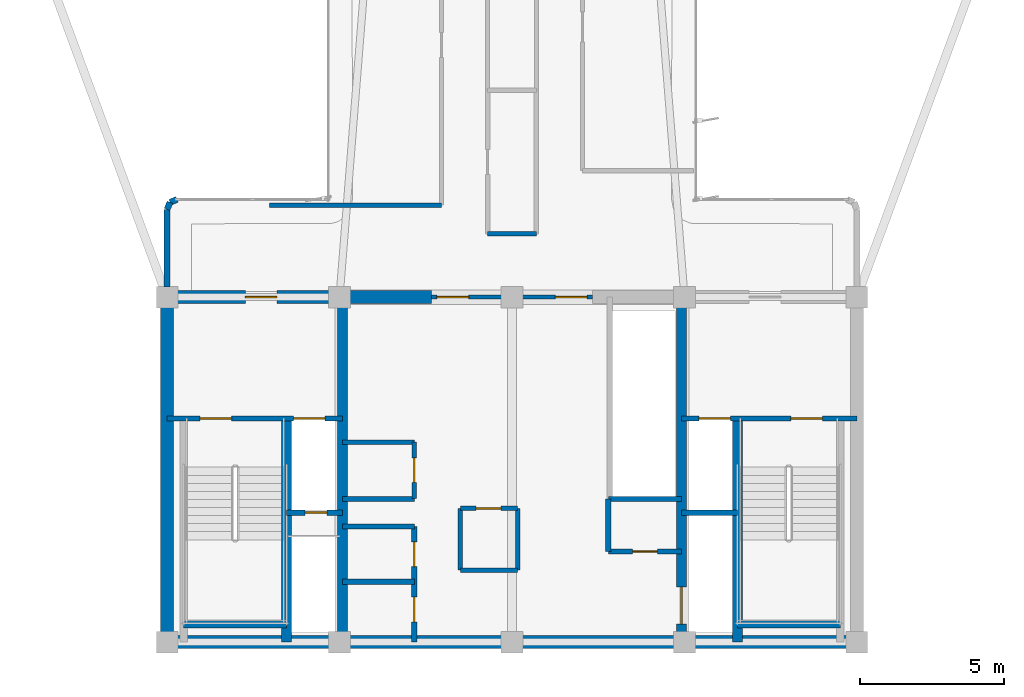
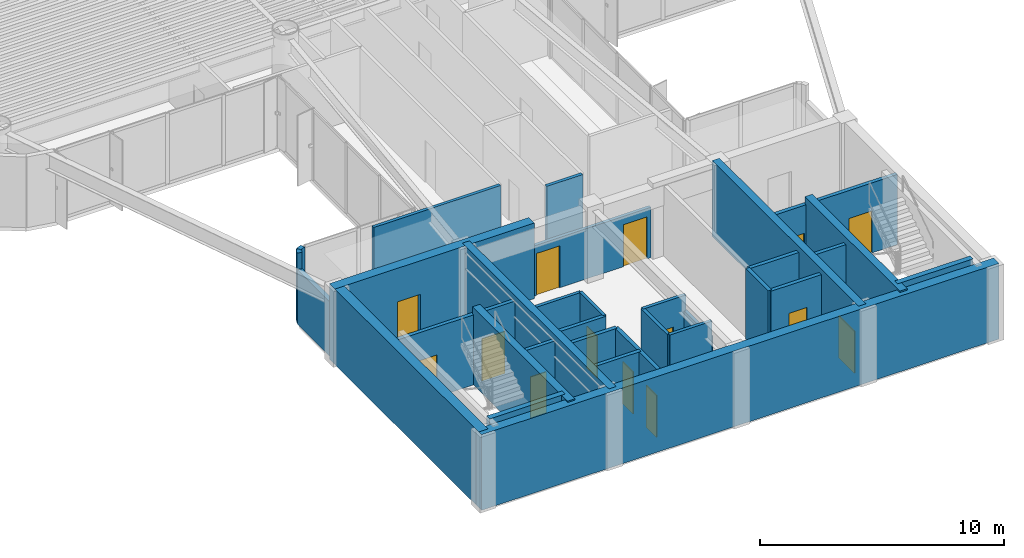
# One storey, part 9 of 14: 32 walls, 14 doors, 14 openings.
"""IFC4 building model written with IfcOpenShell, lengths in metres."""

from ifc_helpers import new_model, si_unit, direction, frame, frame_2d, origin, origin_2d, place, context, subcontext, project, spatial, rectangle, extrude, source, transform, mapped, material, layer, layer_set, type_object, element, fill, save


model = new_model("IFC4")

# Units and contexts
model_context = context("Model", 3, precision=1e-05, world=origin(), true_north=direction((0.0, 1.0)))
body_context = subcontext(model_context, "Body", "Model", "MODEL_VIEW")
ifc_project = project(units=[si_unit("LENGTHUNIT", "METRE"), si_unit("AREAUNIT", "SQUARE_METRE"), si_unit("VOLUMEUNIT", "CUBIC_METRE"), si_unit("PLANEANGLEUNIT", "RADIAN"), si_unit("MASSUNIT", "GRAM", prefix="KILO")], contexts=[model_context])

# Site, building, storey
site_placement = place(None, origin())
site = spatial("IfcSite", under=ifc_project, at=site_placement, CompositionType="ELEMENT")
building_placement = place(site_placement, origin())
building = spatial("IfcBuilding", under=site, at=building_placement, Name="Brelvock Crest Care Tower", CompositionType="ELEMENT")
storey_placement = place(building_placement, frame((0.0, 0.0, 194.219970703125)))
storey = spatial("IfcBuildingStorey", under=building, at=storey_placement, Name="L49", CompositionType="ELEMENT", Elevation=194.219970703125)

# Walls
ifc_material_1 = material(Name="Concrete S65 (65 MPa)", Category="concrete")
ifc_layer_1 = layer(ifc_material_1, 0.449951171875, Name="WL-CS3")
ifc_layer_set_1 = layer_set([ifc_layer_1], Name="Concrete S65 (65 MPa)")
wall_type_1 = type_object("IfcWallType", Name="WL-CS3", PredefinedType="SHEAR", material=ifc_layer_set_1)
wall_1_placement = place(storey_placement, frame((48.22509765625, 6.0, 0.0), z_axis=(0.0, 0.0, 1.0), x_axis=(-1.0, 0.0, 0.0)))
element("IfcWall", 1, at=wall_1_placement, inside=storey, type_object=wall_type_1, Name="L49 Core South Shear Wall", PredefinedType="SHEAR", context=body_context, shape_type="SweptSolid", body=[
    extrude(rectangle(XDim=24.4501953125, YDim=0.449951171875, at=frame_2d((12.22509765625, 0.0))), origin(), (0.0, 0.0, 1.0), 3.780029296875),
])
wall_2_placement = place(storey_placement, frame((24.0, 6.0, 0.0), z_axis=(0.0, 0.0, 1.0), x_axis=(0.0, 1.0, 0.0)))
element("IfcWall", 2, at=wall_2_placement, inside=storey, type_object=wall_type_1, Name="L49 Core West Shear Wall", PredefinedType="SHEAR", context=body_context, shape_type="SweptSolid", body=[
    extrude(rectangle(XDim=12.0, YDim=0.449951171875, at=frame_2d((6.0, 0.0))), origin(), (0.0, 0.0, 1.0), 3.780029296875),
])

# Wall, opening, door
wall_3_placement = place(storey_placement, frame((23.77490234375, 18.0, 0.0), z_axis=(0.0, 0.0, 1.0), x_axis=(1.0, 0.0, 0.0)))
wall_3 = element("IfcWall", 3, at=wall_3_placement, inside=storey, type_object=wall_type_1, Name="L49 Core North-West Shear Wall", PredefinedType="SHEAR", context=body_context, shape_type="SweptSolid", body=[
    extrude(rectangle(XDim=9.425048828125, YDim=0.449951171875, at=frame_2d((4.71240234375, 0.0))), origin(), (0.0, 0.0, 1.0), 3.780029296875),
])
opening_1_placement = place(wall_3_placement, frame((2.949951171875, 0.0, 0.0)))
opening_1 = element("IfcOpeningElement", 4, at=opening_1_placement, cuts=wall_3, Name="Opening FD-1", PredefinedType="OPENING", context=body_context, shape_type="SweptSolid", body=[
    extrude(rectangle(XDim=1.10009765625, YDim=2.10009765625, at=origin_2d()), frame((0.550048828125, 0.23486328125, 1.050048828125), z_axis=(0.0, -1.0, 0.0), x_axis=(1.0, 0.0, 0.0)), (0.0, 0.0, 1.0), 0.469970703125),
])
ifc_material_2 = material(Name="Steel Grade 350", Category="steel")
door_type_1 = type_object("IfcDoorType", Name="DR-FFL1", OperationType="NOTDEFINED", PredefinedType="DOOR", material=ifc_material_2)
shared_shape_1 = source(origin(), body_context, "Body", "SweptSolid", [
    extrude(rectangle(XDim=1.10009765625, YDim=2.10009765625, at=origin_2d()), frame((0.550048828125, 0.02490234375, 1.050048828125), z_axis=(0.0, -1.0, 0.0), x_axis=(1.0, 0.0, 0.0)), (0.0, 0.0, 1.0), 0.050048828125),
])
door_1_placement = place(opening_1_placement, origin())
door_1 = element("IfcDoor", 5, at=door_1_placement, inside=storey, type_object=door_type_1, Name="L49 Firefighting Lobby FFL-1 Exit Door", OperationType="SINGLE_SWING_LEFT", OverallHeight=2.10009765625, OverallWidth=1.10009765625, PredefinedType="DOOR", context=body_context, shape_type="MappedRepresentation", body=[
    mapped(shared_shape_1, transform((0.0, 0.0, 0.0), x_axis=(1.0, 0.0, 0.0), y_axis=(0.0, 1.0, 0.0), z_axis=(0.0, 0.0, 1.0), scale=1.0)),
])
fill(opening_1, door_1)

# Wall
ifc_material_3 = material(Name="Concrete S80 (80 MPa)", Category="concrete")
ifc_layer_2 = layer(ifc_material_3, 0.35009765625, Name="WL-CS5")
ifc_layer_set_2 = layer_set([ifc_layer_2], Name="Concrete S80 (80 MPa)")
wall_type_2 = type_object("IfcWallType", Name="WL-CS5", PredefinedType="SHEAR", material=ifc_layer_set_2)
wall_4_placement = place(storey_placement, frame((30.10009765625, 6.0, 0.0), z_axis=(0.0, 0.0, 1.0), x_axis=(0.0, 1.0, 0.0)))
element("IfcWall", 6, at=wall_4_placement, inside=storey, type_object=wall_type_2, Name="L49 Core Internal Web Wall West", PredefinedType="SHEAR", context=body_context, shape_type="SweptSolid", body=[
    extrude(rectangle(XDim=12.0, YDim=0.35009765625, at=frame_2d((6.0, 0.0))), origin(), (0.0, 0.0, 1.0), 3.780029296875),
])

# Wall, opening, door
wall_5_placement = place(storey_placement, frame((41.89990234375, 18.0, 0.0), z_axis=(0.0, 0.0, 1.0), x_axis=(0.0, -1.0, 0.0)))
wall_5 = element("IfcWall", 7, at=wall_5_placement, inside=storey, type_object=wall_type_2, Name="L49 Core Internal Web Wall East", PredefinedType="SHEAR", context=body_context, shape_type="SweptSolid", body=[
    extrude(rectangle(XDim=12.0, YDim=0.35009765625, at=frame_2d((6.0, 0.0))), origin(), (0.0, 0.0, 1.0), 3.780029296875),
])
opening_2_placement = place(wall_5_placement, frame((10.080078125, 0.0, 0.0)))
opening_2 = element("IfcOpeningElement", 8, at=opening_2_placement, cuts=wall_5, Name="Opening LD-S", PredefinedType="OPENING", context=body_context, shape_type="SweptSolid", body=[
    extrude(rectangle(XDim=1.300048828125, YDim=2.10009765625, at=origin_2d()), frame((0.64990234375, 0.18505859375, 1.050048828125), z_axis=(0.0, -1.0, 0.0), x_axis=(1.0, 0.0, 0.0)), (0.0, 0.0, 1.0), 0.3701171875),
])
door_type_2 = type_object("IfcDoorType", Name="DR-LDS1", OperationType="NOTDEFINED", PredefinedType="DOOR", material=ifc_material_2)
shared_shape_2 = source(origin(), body_context, "Body", "SweptSolid", [
    extrude(rectangle(XDim=1.300048828125, YDim=2.10009765625, at=origin_2d()), frame((0.64990234375, 0.02490234375, 1.050048828125), z_axis=(0.0, -1.0, 0.0), x_axis=(1.0, 0.0, 0.0)), (0.0, 0.0, 1.0), 0.050048828125),
])
door_2_placement = place(opening_2_placement, origin())
door_2 = element("IfcDoor", 9, at=door_2_placement, inside=storey, type_object=door_type_2, Name="L49 Clinical Bed Lift SL-1 Landing Door", OperationType="SLIDING_TO_LEFT", OverallHeight=2.10009765625, OverallWidth=1.300048828125, PredefinedType="DOOR", context=body_context, shape_type="MappedRepresentation", body=[
    mapped(shared_shape_2, transform((0.0, 0.0, 0.0), x_axis=(1.0, 0.0, 0.0), y_axis=(0.0, 1.0, 0.0), z_axis=(0.0, 0.0, 1.0), scale=1.0)),
])
fill(opening_2, door_2)

# Walls
for number, where, z_axis, x_axis, name in (
    (10, (28.14990234375, 6.0, 0.0), (0.0, 0.0, 1.0), (0.0, 1.0, 0.0), "L49 Core Stair ST-1 East Shear Wall"),
    (11, (43.85009765625, 6.0, 0.0), (0.0, 0.0, 1.0), (0.0, 1.0, 0.0), "L49 Core Stair ST-2 West Shear Wall"),
):
    element("IfcWall", number, at=place(storey_placement, frame(where, z_axis=z_axis, x_axis=x_axis)), inside=storey, type_object=wall_type_2, Name=name, PredefinedType="SHEAR", context=body_context, shape_type="SweptSolid", body=[
        extrude(rectangle(XDim=7.780029296875, YDim=0.35009765625, at=frame_2d((3.89013671875, 0.0))), origin(), (0.0, 0.0, 1.0), 3.85009765625),
    ])
ifc_layer_3 = layer(ifc_material_3, 0.25, Name="WL-CS6")
ifc_layer_set_3 = layer_set([ifc_layer_3], Name="Concrete S80 (80 MPa)")
wall_type_3 = type_object("IfcWallType", Name="WL-CS6", PredefinedType="SHEAR", material=ifc_layer_set_3)
for number, where, z_axis, x_axis, name in (
    (12, (24.580078125, 6.6201171875, 0.0), (0.0, 0.0, 1.0), (1.0, 0.0, 0.0), "L49 Core Stair ST-1 South Shear Wall"),
    (13, (43.85009765625, 6.6201171875, 0.0), (0.0, 0.0, 1.0), (1.0, 0.0, 0.0), "L49 Core Stair ST-2 South Shear Wall"),
):
    element("IfcWall", number, at=place(storey_placement, frame(where, z_axis=z_axis, x_axis=x_axis)), inside=storey, type_object=wall_type_3, Name=name, PredefinedType="SHEAR", context=body_context, shape_type="SweptSolid", body=[
        extrude(rectangle(XDim=3.56982421875, YDim=0.25, at=frame_2d((1.784912109375, 0.0))), origin(), (0.0, 0.0, 1.0), 3.85009765625),
    ])
ifc_material_4 = material(Name="Precast concrete N40 (40 MPa)", Category="concrete")
ifc_layer_4 = layer(ifc_material_4, 0.215087890625, Name="WL-EX2")
ifc_layer_set_4 = layer_set([ifc_layer_4], Name="Precast concrete N40 (40 MPa)")
wall_type_4 = type_object("IfcWallType", Name="WL-EX2", PredefinedType="SOLIDWALL", material=ifc_layer_set_4)
wall_6_placement = place(storey_placement, frame((24.0, 18.35498046875, 0.0), z_axis=(0.0, 0.0, 1.0), x_axis=(0.0, 1.0, 0.0)))
element("IfcWall", 14, at=wall_6_placement, inside=storey, type_object=wall_type_4, Name="L49 Rounded Corner Wall 07", PredefinedType="SOLIDWALL", context=body_context, shape_type="SweptSolid", body=[
    extrude(rectangle(XDim=2.695068359375, YDim=0.215087890625, at=frame_2d((1.34765625, 0.0))), origin(), (0.0, 0.0, 1.0), 2.718017578125),
])
wall_7_placement = place(storey_placement, frame((24.0, 21.050048828125, 0.0), z_axis=(0.0, 0.0, 1.0), x_axis=(0.382673670509, 0.923883575944, 0.0)))
element("IfcWall", 15, at=wall_7_placement, inside=storey, type_object=wall_type_4, Name="L49 Rounded Corner Wall 08", PredefinedType="SOLIDWALL", context=body_context, shape_type="SweptSolid", body=[
    extrude(rectangle(XDim=0.26806640625, YDim=0.215087890625, at=frame_2d((0.134033203125, 0.0))), origin(), (0.0, 0.0, 1.0), 3.530029296875),
])
wall_8_placement = place(storey_placement, frame((24.1025390625, 21.297607421875, 0.0), z_axis=(0.0, 0.0, 1.0), x_axis=(0.924205486139, 0.381895560841, 0.0)))
element("IfcWall", 16, at=wall_8_placement, inside=storey, type_object=wall_type_4, Name="L49 Rounded Corner Wall 09", PredefinedType="SOLIDWALL", context=body_context, shape_type="SweptSolid", body=[
    extrude(rectangle(XDim=0.267822265625, YDim=0.215087890625, at=frame_2d((0.1337890625, 0.0))), origin(), (0.0, 0.0, 1.0), 3.530029296875),
])
ifc_material_5 = material(Name="Masonry Blockwork Acoustic Partition", Category="masonry")
ifc_layer_5 = layer(ifc_material_5, 0.14990234375, Name="WL-INT1")
ifc_layer_set_5 = layer_set([ifc_layer_5], Name="Masonry Blockwork Acoustic Partition")
wall_type_5 = type_object("IfcWallType", Name="WL-INT1", PredefinedType="PARTITIONING", material=ifc_layer_set_5)
wall_9_placement = place(storey_placement, frame((30.10009765625, 12.949951171875, 0.0), z_axis=(0.0, 0.0, 1.0), x_axis=(1.0, 0.0, 0.0)))
element("IfcWall", 17, at=wall_9_placement, inside=storey, type_object=wall_type_5, Name="L49 Interior Wall WL-CRCL-N2-L49", PredefinedType="PARTITIONING", context=body_context, shape_type="SweptSolid", body=[
    extrude(rectangle(XDim=2.5, YDim=0.14990234375, at=frame_2d((1.25, 0.0))), origin(), (0.0, 0.0, 1.0), 3.5),
])

# Wall, opening, door
wall_10_placement = place(storey_placement, frame((32.60009765625, 11.0, 0.0), z_axis=(0.0, 0.0, 1.0), x_axis=(0.0, 1.0, 0.0)))
wall_10 = element("IfcWall", 18, at=wall_10_placement, inside=storey, type_object=wall_type_5, Name="L49 Interior Wall WL-CRCL-E-L49", PredefinedType="PARTITIONING", context=body_context, shape_type="SweptSolid", body=[
    extrude(rectangle(XDim=1.949951171875, YDim=0.14990234375, at=frame_2d((0.97509765625, 0.0))), origin(), (0.0, 0.0, 1.0), 3.5),
])
opening_3_placement = place(wall_10_placement, frame((0.550048828125, 0.0, 0.0)))
opening_3 = element("IfcOpeningElement", 19, at=opening_3_placement, cuts=wall_10, Name="Opening ID-1", PredefinedType="OPENING", context=body_context, shape_type="SweptSolid", body=[
    extrude(rectangle(XDim=0.860107421875, YDim=2.10009765625, at=origin_2d()), frame((0.43017578125, 0.0849609375, 1.050048828125), z_axis=(0.0, -1.0, 0.0), x_axis=(1.0, 0.0, 0.0)), (0.0, 0.0, 1.0), 0.169921875),
])
ifc_material_6 = material(Name="Engineered Hardwood Timber", Category="wood")
door_type_3 = type_object("IfcDoorType", Name="DR-INT1", OperationType="NOTDEFINED", PredefinedType="DOOR", material=ifc_material_6)
shared_shape_3 = source(origin(), body_context, "Body", "SweptSolid", [
    extrude(rectangle(XDim=0.860107421875, YDim=2.10009765625, at=origin_2d()), frame((0.43017578125, 0.02490234375, 1.050048828125), z_axis=(0.0, -1.0, 0.0), x_axis=(1.0, 0.0, 0.0)), (0.0, 0.0, 1.0), 0.050048828125),
])
door_3_placement = place(opening_3_placement, origin())
door_3 = element("IfcDoor", 20, at=door_3_placement, inside=storey, type_object=door_type_3, Name="DR-CRCL1-L49", OperationType="SINGLE_SWING_LEFT", OverallHeight=2.10009765625, OverallWidth=0.860107421875, PredefinedType="DOOR", context=body_context, shape_type="MappedRepresentation", body=[
    mapped(shared_shape_3, transform((0.0, 0.0, 0.0), x_axis=(1.0, 0.0, 0.0), y_axis=(0.0, 1.0, 0.0), z_axis=(0.0, 0.0, 1.0), scale=1.0)),
])
fill(opening_3, door_3)

# Walls
wall_11_placement = place(storey_placement, frame((34.199951171875, 8.5, 0.0), z_axis=(0.0, 0.0, 1.0), x_axis=(1.0, 0.0, 0.0)))
element("IfcWall", 21, at=wall_11_placement, inside=storey, type_object=wall_type_5, Name="L49 Interior Wall WL-CRCM-S-L49", PredefinedType="PARTITIONING", context=body_context, shape_type="SweptSolid", body=[
    extrude(rectangle(XDim=2.0, YDim=0.14990234375, at=frame_2d((1.0, 0.0))), origin(), (0.0, 0.0, 1.0), 3.5),
])
wall_12_placement = place(storey_placement, frame((34.199951171875, 8.5, 0.0), z_axis=(0.0, 0.0, 1.0), x_axis=(0.0, 1.0, 0.0)))
element("IfcWall", 22, at=wall_12_placement, inside=storey, type_object=wall_type_5, Name="L49 Interior Wall WL-CRCM-W-L49", PredefinedType="PARTITIONING", context=body_context, shape_type="SweptSolid", body=[
    extrude(rectangle(XDim=2.14990234375, YDim=0.14990234375, at=frame_2d((1.074951171875, 0.0))), origin(), (0.0, 0.0, 1.0), 3.5),
])
wall_13_placement = place(storey_placement, frame((36.199951171875, 8.5, 0.0), z_axis=(0.0, 0.0, 1.0), x_axis=(0.0, 1.0, 0.0)))
element("IfcWall", 23, at=wall_13_placement, inside=storey, type_object=wall_type_5, Name="L49 Interior Wall WL-CRCM-E-L49", PredefinedType="PARTITIONING", context=body_context, shape_type="SweptSolid", body=[
    extrude(rectangle(XDim=2.14990234375, YDim=0.14990234375, at=frame_2d((1.074951171875, 0.0))), origin(), (0.0, 0.0, 1.0), 2.715087890625),
])

# Wall, opening, door
wall_14_placement = place(storey_placement, frame((34.199951171875, 10.64990234375, 0.0), z_axis=(0.0, 0.0, 1.0), x_axis=(1.0, 0.0, 0.0)))
wall_14 = element("IfcWall", 24, at=wall_14_placement, inside=storey, type_object=wall_type_5, Name="L49 Interior Wall WL-CRCM-N-L49", PredefinedType="PARTITIONING", context=body_context, shape_type="SweptSolid", body=[
    extrude(rectangle(XDim=2.0, YDim=0.14990234375, at=frame_2d((1.0, 0.0))), origin(), (0.0, 0.0, 1.0), 3.5),
])
opening_4_placement = place(wall_14_placement, frame((0.550048828125, 0.0, 0.0)))
opening_4 = element("IfcOpeningElement", 25, at=opening_4_placement, cuts=wall_14, Name="Opening ID-1", PredefinedType="OPENING", context=body_context, shape_type="SweptSolid", body=[
    extrude(rectangle(XDim=0.860107421875, YDim=2.10009765625, at=origin_2d()), frame((0.43017578125, 0.0849609375, 1.050048828125), z_axis=(0.0, -1.0, 0.0), x_axis=(1.0, 0.0, 0.0)), (0.0, 0.0, 1.0), 0.169921875),
])
door_4_placement = place(opening_4_placement, origin())
door_4 = element("IfcDoor", 26, at=door_4_placement, inside=storey, type_object=door_type_3, Name="DR-CRCM1-L49", OperationType="SINGLE_SWING_LEFT", OverallHeight=2.10009765625, OverallWidth=0.860107421875, PredefinedType="DOOR", context=body_context, shape_type="MappedRepresentation", body=[
    mapped(shared_shape_3, transform((0.0, 0.0, 0.0), x_axis=(1.0, 0.0, 0.0), y_axis=(0.0, 1.0, 0.0), z_axis=(0.0, 0.0, 1.0), scale=1.0)),
])
fill(opening_4, door_4)

# Wall, openings, doors
wall_15_placement = place(storey_placement, frame((33.199951171875, 18.0, 0.0), z_axis=(0.0, 0.0, 1.0), x_axis=(1.0, 0.0, 0.0)))
wall_15 = element("IfcWall", 27, at=wall_15_placement, inside=storey, type_object=wall_type_5, Name="L49 Interior Wall WL-CORE-NPORT-L49", PredefinedType="PARTITIONING", context=body_context, shape_type="SweptSolid", body=[
    extrude(rectangle(XDim=5.60009765625, YDim=0.14990234375, at=frame_2d((2.800048828125, 0.0))), origin(), (0.0, 0.0, 1.0), 2.51513671875),
])
opening_5_placement = place(wall_15_placement, frame((0.18994140625, 0.0, 0.0)))
opening_5 = element("IfcOpeningElement", 28, at=opening_5_placement, cuts=wall_15, Name="Opening FD-1", PredefinedType="OPENING", context=body_context, shape_type="SweptSolid", body=[
    extrude(rectangle(XDim=1.10009765625, YDim=2.10009765625, at=origin_2d()), frame((0.550048828125, 0.0849609375, 1.050048828125), z_axis=(0.0, -1.0, 0.0), x_axis=(1.0, 0.0, 0.0)), (0.0, 0.0, 1.0), 0.169921875),
])
opening_6_placement = place(wall_15_placement, frame((4.31005859375, 0.0, 0.0)))
opening_6 = element("IfcOpeningElement", 29, at=opening_6_placement, cuts=wall_15, Name="Opening FD-1", PredefinedType="OPENING", context=body_context, shape_type="SweptSolid", body=[
    extrude(rectangle(XDim=1.10009765625, YDim=2.10009765625, at=origin_2d()), frame((0.550048828125, 0.0849609375, 1.050048828125), z_axis=(0.0, -1.0, 0.0), x_axis=(1.0, 0.0, 0.0)), (0.0, 0.0, 1.0), 0.169921875),
])
door_5_placement = place(opening_5_placement, origin())
door_5 = element("IfcDoor", 30, at=door_5_placement, inside=storey, type_object=door_type_1, Name="L49 Lift Lobby North Smoke Door West", OperationType="SINGLE_SWING_LEFT", OverallHeight=2.10009765625, OverallWidth=1.10009765625, PredefinedType="DOOR", context=body_context, shape_type="MappedRepresentation", body=[
    mapped(shared_shape_1, transform((0.0, 0.0, 0.0), x_axis=(1.0, 0.0, 0.0), y_axis=(0.0, 1.0, 0.0), z_axis=(0.0, 0.0, 1.0), scale=1.0)),
])
fill(opening_5, door_5)
door_6_placement = place(opening_6_placement, origin())
door_6 = element("IfcDoor", 31, at=door_6_placement, inside=storey, type_object=door_type_1, Name="L49 Lift Lobby North Smoke Door East", OperationType="SINGLE_SWING_RIGHT", OverallHeight=2.10009765625, OverallWidth=1.10009765625, PredefinedType="DOOR", context=body_context, shape_type="MappedRepresentation", body=[
    mapped(shared_shape_1, transform((0.0, 0.0, 0.0), x_axis=(1.0, 0.0, 0.0), y_axis=(0.0, 1.0, 0.0), z_axis=(0.0, 0.0, 1.0), scale=1.0)),
])
fill(opening_6, door_6)

# Walls
wall_16_placement = place(storey_placement, frame((27.5576171875, 21.199951171875, 0.0), z_axis=(0.0, 0.0, 1.0), x_axis=(1.0, 0.0, 0.0)))
element("IfcWall", 32, at=wall_16_placement, inside=storey, type_object=wall_type_5, Name="L49 Interior Wall WL-BX-L49-THRW-S", PredefinedType="PARTITIONING", context=body_context, shape_type="SweptSolid", body=[
    extrude(rectangle(XDim=5.992431640625, YDim=0.14990234375, at=frame_2d((2.99609375, 0.0))), origin(), (0.0, 0.0, 1.0), 3.5),
])
ifc_material_7 = material(Name="Gypsum Plasterboard Partition", Category="gypsum")
ifc_layer_6 = layer(ifc_material_7, 0.159912109375, Name="WL-PLM1")
ifc_layer_set_6 = layer_set([ifc_layer_6], Name="Gypsum Plasterboard Partition")
wall_type_6 = type_object("IfcWallType", Name="WL-PLM1", PredefinedType="PLUMBINGWALL", material=ifc_layer_set_6)
wall_17_placement = place(storey_placement, frame((35.14990234375, 20.199951171875, 0.0), z_axis=(0.0, 0.0, 1.0), x_axis=(1.0, 0.0, 0.0)))
element("IfcWall", 33, at=wall_17_placement, inside=storey, type_object=wall_type_6, Name="L49 Interior Wall WL-BX-L49-ISWC-S", PredefinedType="PLUMBINGWALL", context=body_context, shape_type="SweptSolid", body=[
    extrude(rectangle(XDim=1.7001953125, YDim=0.159912109375, at=frame_2d((0.85009765625, 0.0))), origin(), (0.0, 0.0, 1.0), 3.5),
])
ifc_layer_7 = layer(ifc_material_5, 0.179931640625, Name="WL-SHF1")
ifc_layer_set_7 = layer_set([ifc_layer_7], Name="Masonry Blockwork Acoustic Partition")
wall_type_7 = type_object("IfcWallType", Name="WL-SHF1", PredefinedType="PARTITIONING", material=ifc_layer_set_7)
wall_18_placement = place(storey_placement, frame((30.10009765625, 10.97998046875, 0.0), z_axis=(0.0, 0.0, 1.0), x_axis=(1.0, 0.0, 0.0)))
element("IfcWall", 34, at=wall_18_placement, inside=storey, type_object=wall_type_7, Name="L49 Interior Wall WL-CSBW-N-L49", PredefinedType="PARTITIONING", context=body_context, shape_type="SweptSolid", body=[
    extrude(rectangle(XDim=2.5, YDim=0.179931640625, at=frame_2d((1.25, 0.0))), origin(), (0.0, 0.0, 1.0), 3.5),
])
wall_19_placement = place(storey_placement, frame((39.35009765625, 10.97998046875, 0.0), z_axis=(0.0, 0.0, 1.0), x_axis=(1.0, 0.0, 0.0)))
element("IfcWall", 35, at=wall_19_placement, inside=storey, type_object=wall_type_7, Name="L49 Interior Wall WL-CSBE-N-L49", PredefinedType="PARTITIONING", context=body_context, shape_type="SweptSolid", body=[
    extrude(rectangle(XDim=2.5498046875, YDim=0.179931640625, at=frame_2d((1.27490234375, 0.0))), origin(), (0.0, 0.0, 1.0), 3.5),
])
for number, where, z_axis, x_axis, name in (
    (36, (30.10009765625, 8.10009765625, 0.0), (0.0, 0.0, 1.0), (1.0, 0.0, 0.0), "L49 Interior Wall WL-CSBW-SP-L49"),
    (37, (30.10009765625, 10.02001953125, 0.0), (0.0, 0.0, 1.0), (1.0, 0.0, 0.0), "L49 Interior Wall WL-CSBW-N2-L49"),
):
    element("IfcWall", number, at=place(storey_placement, frame(where, z_axis=z_axis, x_axis=x_axis)), inside=storey, type_object=wall_type_7, Name=name, PredefinedType="PARTITIONING", context=body_context, shape_type="SweptSolid", body=[
        extrude(rectangle(XDim=2.5, YDim=0.179931640625, at=frame_2d((1.25, 0.0))), origin(), (0.0, 0.0, 1.0), 3.5),
    ])

# Wall, openings, doors
wall_20_placement = place(storey_placement, frame((32.60009765625, 6.0, 0.0), z_axis=(0.0, 0.0, 1.0), x_axis=(0.0, 1.0, 0.0)))
wall_20 = element("IfcWall", 38, at=wall_20_placement, inside=storey, type_object=wall_type_7, Name="L49 Interior Wall WL-CSBW-E-L49", PredefinedType="PARTITIONING", context=body_context, shape_type="SweptSolid", body=[
    extrude(rectangle(XDim=4.02001953125, YDim=0.179931640625, at=frame_2d((2.010009765625, 0.0))), origin(), (0.0, 0.0, 1.0), 3.5),
])
opening_7_placement = place(wall_20_placement, frame((0.699951171875, 0.0, 0.0)))
opening_7 = element("IfcOpeningElement", 39, at=opening_7_placement, cuts=wall_20, Name="Opening ID-1", PredefinedType="OPENING", context=body_context, shape_type="SweptSolid", body=[
    extrude(rectangle(XDim=0.860107421875, YDim=2.10009765625, at=origin_2d()), frame((0.43017578125, 0.10009765625, 1.050048828125), z_axis=(0.0, -1.0, 0.0), x_axis=(1.0, 0.0, 0.0)), (0.0, 0.0, 1.0), 0.199951171875),
])
opening_8_placement = place(wall_20_placement, frame((2.6201171875, 0.0, 0.0)))
opening_8 = element("IfcOpeningElement", 40, at=opening_8_placement, cuts=wall_20, Name="Opening ID-1", PredefinedType="OPENING", context=body_context, shape_type="SweptSolid", body=[
    extrude(rectangle(XDim=0.860107421875, YDim=2.10009765625, at=origin_2d()), frame((0.43017578125, 0.10009765625, 1.050048828125), z_axis=(0.0, -1.0, 0.0), x_axis=(1.0, 0.0, 0.0)), (0.0, 0.0, 1.0), 0.199951171875),
])
door_7_placement = place(opening_7_placement, origin())
door_7 = element("IfcDoor", 41, at=door_7_placement, inside=storey, type_object=door_type_3, Name="DR-CSBW1-L49", OperationType="SINGLE_SWING_LEFT", OverallHeight=2.10009765625, OverallWidth=0.860107421875, PredefinedType="DOOR", context=body_context, shape_type="MappedRepresentation", body=[
    mapped(shared_shape_3, transform((0.0, 0.0, 0.0), x_axis=(1.0, 0.0, 0.0), y_axis=(0.0, 1.0, 0.0), z_axis=(0.0, 0.0, 1.0), scale=1.0)),
])
fill(opening_7, door_7)
door_8_placement = place(opening_8_placement, origin())
door_8 = element("IfcDoor", 42, at=door_8_placement, inside=storey, type_object=door_type_3, Name="DR-CSBW2-L49", OperationType="SINGLE_SWING_RIGHT", OverallHeight=2.10009765625, OverallWidth=0.860107421875, PredefinedType="DOOR", context=body_context, shape_type="MappedRepresentation", body=[
    mapped(shared_shape_3, transform((0.0, 0.0, 0.0), x_axis=(1.0, 0.0, 0.0), y_axis=(0.0, 1.0, 0.0), z_axis=(0.0, 0.0, 1.0), scale=1.0)),
])
fill(opening_8, door_8)

# Wall
wall_21_placement = place(storey_placement, frame((39.35009765625, 9.14990234375, 0.0), z_axis=(0.0, 0.0, 1.0), x_axis=(0.0, 1.0, 0.0)))
element("IfcWall", 43, at=wall_21_placement, inside=storey, type_object=wall_type_7, Name="L49 Interior Wall WL-CSBE-W-L49", PredefinedType="PARTITIONING", context=body_context, shape_type="SweptSolid", body=[
    extrude(rectangle(XDim=1.830078125, YDim=0.179931640625, at=frame_2d((0.9150390625, 0.0))), origin(), (0.0, 0.0, 1.0), 3.5),
])

# Wall, opening, door
wall_22_placement = place(storey_placement, frame((39.35009765625, 9.14990234375, 0.0), z_axis=(0.0, 0.0, 1.0), x_axis=(1.0, 0.0, 0.0)))
wall_22 = element("IfcWall", 44, at=wall_22_placement, inside=storey, type_object=wall_type_7, Name="L49 Interior Wall WL-CSBE-S-L49", PredefinedType="PARTITIONING", context=body_context, shape_type="SweptSolid", body=[
    extrude(rectangle(XDim=2.5498046875, YDim=0.179931640625, at=frame_2d((1.27490234375, 0.0))), origin(), (0.0, 0.0, 1.0), 3.5),
])
opening_9_placement = place(wall_22_placement, frame((0.85009765625, 0.0, 0.0)))
opening_9 = element("IfcOpeningElement", 45, at=opening_9_placement, cuts=wall_22, Name="Opening ID-1", PredefinedType="OPENING", context=body_context, shape_type="SweptSolid", body=[
    extrude(rectangle(XDim=0.860107421875, YDim=2.10009765625, at=origin_2d()), frame((0.43017578125, 0.10009765625, 1.050048828125), z_axis=(0.0, -1.0, 0.0), x_axis=(1.0, 0.0, 0.0)), (0.0, 0.0, 1.0), 0.199951171875),
])
door_9_placement = place(opening_9_placement, origin())
door_9 = element("IfcDoor", 46, at=door_9_placement, inside=storey, type_object=door_type_3, Name="DR-CSBE-L49", OperationType="SINGLE_SWING_LEFT", OverallHeight=2.10009765625, OverallWidth=0.860107421875, PredefinedType="DOOR", context=body_context, shape_type="MappedRepresentation", body=[
    mapped(shared_shape_3, transform((0.0, 0.0, 0.0), x_axis=(1.0, 0.0, 0.0), y_axis=(0.0, 1.0, 0.0), z_axis=(0.0, 0.0, 1.0), scale=1.0)),
])
fill(opening_9, door_9)

# Wall, openings, doors
wall_23_placement = place(storey_placement, frame((24.0, 13.780029296875, 0.0), z_axis=(0.0, 0.0, 1.0), x_axis=(1.0, 0.0, 0.0)))
wall_23 = element("IfcWall", 47, at=wall_23_placement, inside=storey, type_object=wall_type_7, Name="L49 Interior Wall WL-ST1-N-L49", PredefinedType="PARTITIONING", context=body_context, shape_type="SweptSolid", body=[
    extrude(rectangle(XDim=6.10009765625, YDim=0.179931640625, at=frame_2d((3.050048828125, 0.0))), origin(), (0.0, 0.0, 1.0), 3.5),
])
opening_10_placement = place(wall_23_placement, frame((1.14990234375, 0.0, 0.0)))
opening_10 = element("IfcOpeningElement", 48, at=opening_10_placement, cuts=wall_23, Name="Opening SD-1", PredefinedType="OPENING", context=body_context, shape_type="SweptSolid", body=[
    extrude(rectangle(XDim=1.10009765625, YDim=2.10009765625, at=origin_2d()), frame((0.550048828125, 0.10009765625, 1.050048828125), z_axis=(0.0, -1.0, 0.0), x_axis=(1.0, 0.0, 0.0)), (0.0, 0.0, 1.0), 0.199951171875),
])
opening_11_placement = place(wall_23_placement, frame((4.39990234375, 0.0, 0.0)))
opening_11 = element("IfcOpeningElement", 49, at=opening_11_placement, cuts=wall_23, Name="Opening LD", PredefinedType="OPENING", context=body_context, shape_type="SweptSolid", body=[
    extrude(rectangle(XDim=1.10009765625, YDim=2.10009765625, at=origin_2d()), frame((0.550048828125, 0.10009765625, 1.050048828125), z_axis=(0.0, -1.0, 0.0), x_axis=(1.0, 0.0, 0.0)), (0.0, 0.0, 1.0), 0.199951171875),
])
door_type_4 = type_object("IfcDoorType", Name="DR-ST1", OperationType="NOTDEFINED", PredefinedType="DOOR", material=ifc_material_2)
shared_shape_4 = source(origin(), body_context, "Body", "SweptSolid", [
    extrude(rectangle(XDim=1.10009765625, YDim=2.10009765625, at=origin_2d()), frame((0.550048828125, 0.02490234375, 1.050048828125), z_axis=(0.0, -1.0, 0.0), x_axis=(1.0, 0.0, 0.0)), (0.0, 0.0, 1.0), 0.050048828125),
])
door_10_placement = place(opening_10_placement, origin())
door_10 = element("IfcDoor", 50, at=door_10_placement, inside=storey, type_object=door_type_4, Name="L49 Fire Stair ST-1 Door", OperationType="SINGLE_SWING_LEFT", OverallHeight=2.10009765625, OverallWidth=1.10009765625, PredefinedType="DOOR", context=body_context, shape_type="MappedRepresentation", body=[
    mapped(shared_shape_4, transform((0.0, 0.0, 0.0), x_axis=(1.0, 0.0, 0.0), y_axis=(0.0, 1.0, 0.0), z_axis=(0.0, 0.0, 1.0), scale=1.0)),
])
fill(opening_10, door_10)
door_type_5 = type_object("IfcDoorType", Name="DR-LD1", OperationType="NOTDEFINED", PredefinedType="DOOR", material=ifc_material_2)
shared_shape_5 = source(origin(), body_context, "Body", "SweptSolid", [
    extrude(rectangle(XDim=1.10009765625, YDim=2.10009765625, at=origin_2d()), frame((0.550048828125, 0.02490234375, 1.050048828125), z_axis=(0.0, -1.0, 0.0), x_axis=(1.0, 0.0, 0.0)), (0.0, 0.0, 1.0), 0.050048828125),
])
door_11_placement = place(opening_11_placement, origin())
door_11 = element("IfcDoor", 51, at=door_11_placement, inside=storey, type_object=door_type_5, Name="L49 Firefighting Lift FFL-1 Landing Door", OperationType="SLIDING_TO_LEFT", OverallHeight=2.10009765625, OverallWidth=1.10009765625, PredefinedType="DOOR", context=body_context, shape_type="MappedRepresentation", body=[
    mapped(shared_shape_5, transform((0.0, 0.0, 0.0), x_axis=(1.0, 0.0, 0.0), y_axis=(0.0, 1.0, 0.0), z_axis=(0.0, 0.0, 1.0), scale=1.0)),
])
fill(opening_11, door_11)

# Wall, opening, door
wall_24_placement = place(storey_placement, frame((28.14990234375, 10.5, 0.0), z_axis=(0.0, 0.0, 1.0), x_axis=(1.0, 0.0, 0.0)))
wall_24 = element("IfcWall", 52, at=wall_24_placement, inside=storey, type_object=wall_type_7, Name="L49 Interior Wall WL-FFH1-S-L49", PredefinedType="PARTITIONING", context=body_context, shape_type="SweptSolid", body=[
    extrude(rectangle(XDim=1.9501953125, YDim=0.179931640625, at=frame_2d((0.97509765625, 0.0))), origin(), (0.0, 0.0, 1.0), 3.5),
])
opening_12_placement = place(wall_24_placement, frame((0.64990234375, 0.0, 0.0)))
opening_12 = element("IfcOpeningElement", 53, at=opening_12_placement, cuts=wall_24, Name="Opening RD-1", PredefinedType="OPENING", context=body_context, shape_type="SweptSolid", body=[
    extrude(rectangle(XDim=0.760009765625, YDim=2.050048828125, at=origin_2d()), frame((0.3798828125, 0.10009765625, 1.02490234375), z_axis=(0.0, -1.0, 0.0), x_axis=(1.0, 0.0, 0.0)), (0.0, 0.0, 1.0), 0.199951171875),
])
door_type_6 = type_object("IfcDoorType", Name="DR-RIS1", OperationType="NOTDEFINED", PredefinedType="DOOR", material=ifc_material_2)
shared_shape_6 = source(origin(), body_context, "Body", "SweptSolid", [
    extrude(rectangle(XDim=0.760009765625, YDim=2.050048828125, at=origin_2d()), frame((0.3798828125, 0.02490234375, 1.02490234375), z_axis=(0.0, -1.0, 0.0), x_axis=(1.0, 0.0, 0.0)), (0.0, 0.0, 1.0), 0.050048828125),
])
door_12_placement = place(opening_12_placement, origin())
door_12 = element("IfcDoor", 54, at=door_12_placement, inside=storey, type_object=door_type_6, Name="L49 Wet Fire Riser Access Door", OperationType="SINGLE_SWING_LEFT", OverallHeight=2.050048828125, OverallWidth=0.760009765625, PredefinedType="DOOR", context=body_context, shape_type="MappedRepresentation", body=[
    mapped(shared_shape_6, transform((0.0, 0.0, 0.0), x_axis=(1.0, 0.0, 0.0), y_axis=(0.0, 1.0, 0.0), z_axis=(0.0, 0.0, 1.0), scale=1.0)),
])
fill(opening_12, door_12)

# Wall, openings, doors
wall_25_placement = place(storey_placement, frame((41.89990234375, 13.780029296875, 0.0), z_axis=(0.0, 0.0, 1.0), x_axis=(1.0, 0.0, 0.0)))
wall_25 = element("IfcWall", 55, at=wall_25_placement, inside=storey, type_object=wall_type_7, Name="L49 Interior Wall WL-ST2-N-L49", PredefinedType="PARTITIONING", context=body_context, shape_type="SweptSolid", body=[
    extrude(rectangle(XDim=6.10009765625, YDim=0.179931640625, at=frame_2d((3.050048828125, 0.0))), origin(), (0.0, 0.0, 1.0), 3.5),
])
opening_13_placement = place(wall_25_placement, frame((0.60009765625, 0.0, 0.0)))
opening_13 = element("IfcOpeningElement", 56, at=opening_13_placement, cuts=wall_25, Name="Opening LD", PredefinedType="OPENING", context=body_context, shape_type="SweptSolid", body=[
    extrude(rectangle(XDim=1.10009765625, YDim=2.10009765625, at=origin_2d()), frame((0.550048828125, 0.10009765625, 1.050048828125), z_axis=(0.0, -1.0, 0.0), x_axis=(1.0, 0.0, 0.0)), (0.0, 0.0, 1.0), 0.199951171875),
])
opening_14_placement = place(wall_25_placement, frame((3.800048828125, 0.0, 0.0)))
opening_14 = element("IfcOpeningElement", 57, at=opening_14_placement, cuts=wall_25, Name="Opening SD-1", PredefinedType="OPENING", context=body_context, shape_type="SweptSolid", body=[
    extrude(rectangle(XDim=1.10009765625, YDim=2.10009765625, at=origin_2d()), frame((0.550048828125, 0.10009765625, 1.050048828125), z_axis=(0.0, -1.0, 0.0), x_axis=(1.0, 0.0, 0.0)), (0.0, 0.0, 1.0), 0.199951171875),
])
door_13_placement = place(opening_14_placement, origin())
door_13 = element("IfcDoor", 58, at=door_13_placement, inside=storey, type_object=door_type_4, Name="L49 Fire Stair ST-2 Door", OperationType="SINGLE_SWING_RIGHT", OverallHeight=2.10009765625, OverallWidth=1.10009765625, PredefinedType="DOOR", context=body_context, shape_type="MappedRepresentation", body=[
    mapped(shared_shape_4, transform((0.0, 0.0, 0.0), x_axis=(1.0, 0.0, 0.0), y_axis=(0.0, 1.0, 0.0), z_axis=(0.0, 0.0, 1.0), scale=1.0)),
])
fill(opening_14, door_13)
door_14_placement = place(opening_13_placement, origin())
door_14 = element("IfcDoor", 59, at=door_14_placement, inside=storey, type_object=door_type_5, Name="L49 Firefighting Lift FFL-2 Landing Door", OperationType="SLIDING_TO_RIGHT", OverallHeight=2.10009765625, OverallWidth=1.10009765625, PredefinedType="DOOR", context=body_context, shape_type="MappedRepresentation", body=[
    mapped(shared_shape_5, transform((0.0, 0.0, 0.0), x_axis=(1.0, 0.0, 0.0), y_axis=(0.0, 1.0, 0.0), z_axis=(0.0, 0.0, 1.0), scale=1.0)),
])
fill(opening_13, door_14)

# Wall
wall_26_placement = place(storey_placement, frame((41.89990234375, 10.5, 0.0), z_axis=(0.0, 0.0, 1.0), x_axis=(1.0, 0.0, 0.0)))
element("IfcWall", 60, at=wall_26_placement, inside=storey, type_object=wall_type_7, Name="L49 Interior Wall WL-FFH2-S-L49", PredefinedType="PARTITIONING", context=body_context, shape_type="SweptSolid", body=[
    extrude(rectangle(XDim=1.9501953125, YDim=0.179931640625, at=frame_2d((0.97509765625, 0.0))), origin(), (0.0, 0.0, 1.0), 3.5),
])

save(model, "model.ifc")
